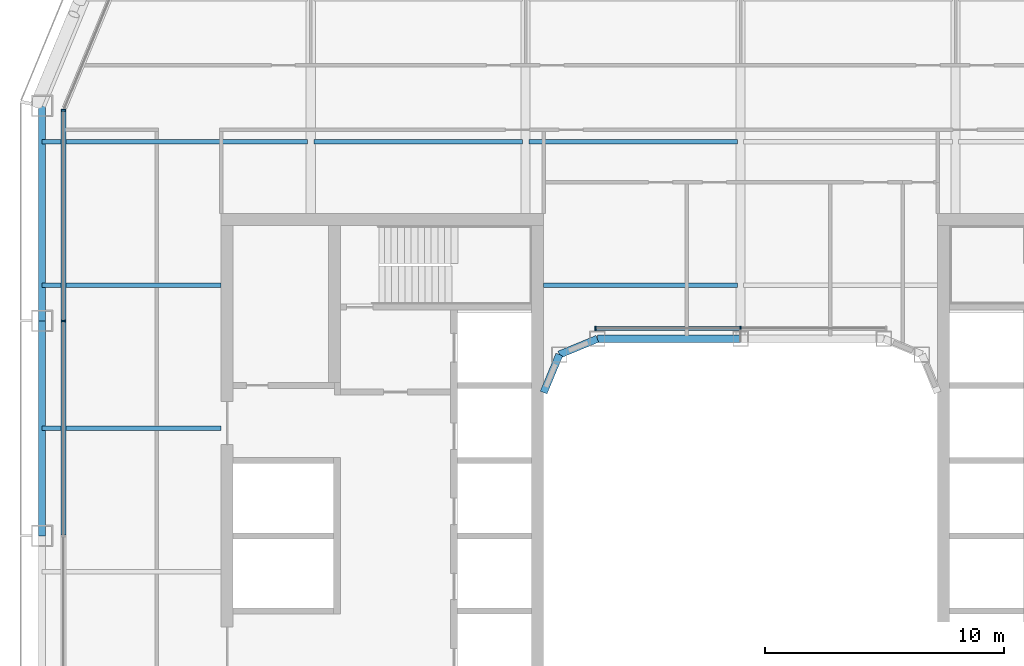
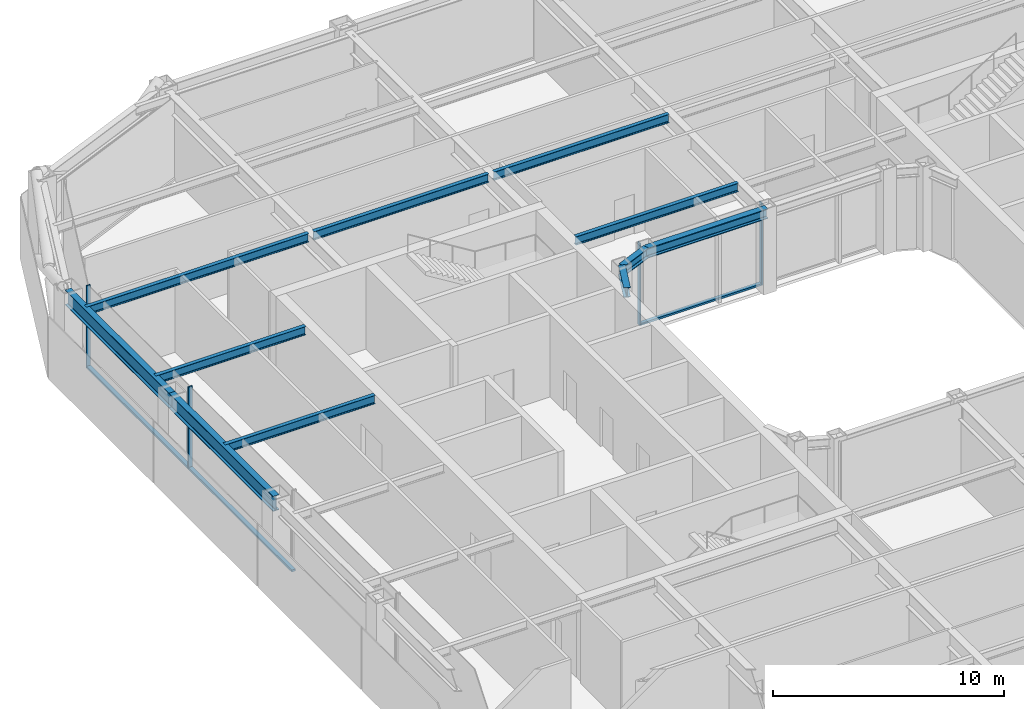
# One storey, part 6 of 24: 11 beams, 7 members, 2 elements without a shape of their own.
"""IFC4 building model written with IfcOpenShell, lengths in metres."""

import ifcopenshell
import ifcopenshell.guid

model = None  # the IFC model being written
_history = None  # IfcOwnerHistory: only IFC2X3 demands one
_inside = {}  # id of a spatial element -> (the spatial element, [elements in it])
_under = {}  # id of a project, library or spatial element -> (it, [spatial elements below it])
_declared = {}  # id of a project -> (the project, [libraries it declares])
_typed = {}  # id of a type object -> (the type object, [elements of that type])
_made_of = {}  # id of a material, layer set ... -> (it, [elements and type objects made of it])


def new_model(schema):
    """Start an empty IFC model of exactly this schema.

    Asked for "IFC4X3", IfcOpenShell would pick the latest addendum, in which some entities
    have other attributes; the version numbers below select the first issue.
    IFC2X3 requires an IfcOwnerHistory on every rooted entity: one is made here for all.
    """
    global model, _history
    if schema == "IFC4X3":
        model = ifcopenshell.file(schema_version=(4, 3, 0, 0))
    else:
        model = ifcopenshell.file(schema=schema)
    _inside.clear()
    _under.clear()
    _declared.clear()
    _typed.clear()
    _made_of.clear()
    _history = None
    if model.schema == "IFC2X3":
        org = make("IfcOrganization", Name="unknown")
        user = make(
            "IfcPersonAndOrganization",
            ThePerson=make("IfcPerson", FamilyName="unknown"),
            TheOrganization=org,
        )
        app = make(
            "IfcApplication",
            ApplicationDeveloper=org,
            Version="unknown",
            ApplicationFullName="unknown",
            ApplicationIdentifier="unknown",
        )
        _history = make(
            "IfcOwnerHistory",
            OwningUser=user,
            OwningApplication=app,
            ChangeAction="ADDED",
            CreationDate=0,
        )
    return model


def make(cls, **values):
    """One entity of the class cls with the attributes given. An attribute that is None is left unset."""
    return model.create_entity(
        cls, **{name: value for name, value in values.items() if value is not None}
    )


def rooted(cls, **values):
    """An entity with a GlobalId (a new one), such as an element, a storey or a relation."""
    return make(cls, GlobalId=ifcopenshell.guid.new(), OwnerHistory=_history, **values)


def si_unit(unit_type, name, prefix=None):
    """IfcSIUnit, for example si_unit("LENGTHUNIT", "METRE", prefix="MILLI")."""
    return make("IfcSIUnit", UnitType=unit_type, Prefix=prefix, Name=name)


def assignment(units):
    """IfcUnitAssignment: the units of a project."""
    return None if units is None else make("IfcUnitAssignment", Units=units)


def point(xyz):
    """IfcCartesianPoint."""
    return None if xyz is None else make("IfcCartesianPoint", Coordinates=xyz)


def direction(xyz):
    """IfcDirection."""
    return None if xyz is None else make("IfcDirection", DirectionRatios=xyz)


def frame(location, z_axis=None, x_axis=None):
    """IfcAxis2Placement3D, a coordinate frame: its origin and axes. An axis left out is left unset."""
    return make(
        "IfcAxis2Placement3D",
        Location=point(location),
        Axis=direction(z_axis),
        RefDirection=direction(x_axis),
    )


def frame_2d(location, x_axis=None):
    """IfcAxis2Placement2D, a coordinate frame in the plane: its origin and x axis."""
    return make(
        "IfcAxis2Placement2D", Location=point(location), RefDirection=direction(x_axis)
    )


def origin():
    """The frame at (0, 0, 0) with its axes left unset."""
    return frame((0.0, 0.0, 0.0))


def origin_2d():
    """The frame at (0, 0) in the plane with its x axis left unset."""
    return frame_2d((0.0, 0.0))


def place(relative_to, where):
    """IfcLocalPlacement: puts the frame where relative to a parent placement (None: the world)."""
    return make(
        "IfcLocalPlacement", PlacementRelTo=relative_to, RelativePlacement=where
    )


def context(
    kind, dimensions, precision=None, world=None, true_north=None, identifier=None
):
    """IfcGeometricRepresentationContext, for example the 3D "Model" context."""
    return make(
        "IfcGeometricRepresentationContext",
        ContextIdentifier=identifier,
        ContextType=kind,
        CoordinateSpaceDimension=dimensions,
        Precision=precision,
        WorldCoordinateSystem=world,
        TrueNorth=true_north,
    )


def subcontext(parent, identifier, kind, view, scale=None):
    """IfcGeometricRepresentationSubContext, for example "Body" below "Model"."""
    return make(
        "IfcGeometricRepresentationSubContext",
        ContextIdentifier=identifier,
        ContextType=kind,
        ParentContext=parent,
        TargetScale=scale,
        TargetView=view,
    )


def project(units=None, contexts=None):
    """IfcProject with its units and contexts."""
    return rooted(
        "IfcProject",
        Name="project",
        RepresentationContexts=contexts,
        UnitsInContext=assignment(units),
    )


def spatial(cls, under=None, at=None, **own):
    """A site, building, storey or space (cls), placed at a placement, below another one or the project."""
    s = rooted(cls, ObjectPlacement=at, **own)
    if under is not None:
        _under.setdefault(under.id(), (under, []))[1].append(s)
    return s


def profile(cls, at=None, kind="AREA", **sizes):
    """A parametric profile (cls). Its sizes go by their IFC names, for example OverallWidth=200.0."""
    return make(cls, ProfileType=kind, Position=at, **sizes)


def rectangle(**sizes):
    """IfcRectangleProfileDef."""
    return profile("IfcRectangleProfileDef", **sizes)


def i_section(**sizes):
    """IfcIShapeProfileDef."""
    return profile("IfcIShapeProfileDef", **sizes)


def extrude(swept, where, along, depth):
    """IfcExtrudedAreaSolid: the profile swept, set in the frame where, extruded along a direction by depth."""
    return make(
        "IfcExtrudedAreaSolid",
        SweptArea=swept,
        Position=where,
        ExtrudedDirection=direction(along),
        Depth=depth,
    )


def shape(context_of_items, identifier, shape_type, items):
    """IfcShapeRepresentation: the items that make up one representation, for example the "Body"."""
    return make(
        "IfcShapeRepresentation",
        ContextOfItems=context_of_items,
        RepresentationIdentifier=identifier,
        RepresentationType=shape_type,
        Items=items,
    )


def material(Name=None, Category=None):
    """IfcMaterial."""
    return make("IfcMaterial", Name=Name, Category=Category)


def layer(
    of_material, thickness, ventilated=None, Name=None, Category=None, Priority=None
):
    """IfcMaterialLayer: one layer of a wall or slab, of a material (None: an air gap)."""
    return make(
        "IfcMaterialLayer",
        Material=of_material,
        LayerThickness=thickness,
        IsVentilated=ventilated,
        Name=Name,
        Category=Category,
        Priority=Priority,
    )


def layer_set(layers, Name=None):
    """IfcMaterialLayerSet."""
    return make("IfcMaterialLayerSet", MaterialLayers=layers, LayerSetName=Name)


def material_profile(
    of_material, cross_section, Name=None, Category=None, Priority=None
):
    """IfcMaterialProfile: a cross section and its material."""
    return make(
        "IfcMaterialProfile",
        Name=Name,
        Material=of_material,
        Profile=cross_section,
        Priority=Priority,
        Category=Category,
    )


def profile_set(profiles, Name=None, composite=None):
    """IfcMaterialProfileSet."""
    return make(
        "IfcMaterialProfileSet",
        Name=Name,
        MaterialProfiles=profiles,
        CompositeProfile=composite,
    )


def made_of(thing, what):
    """Note that an element or type object is made of a material, layer set ...; save() writes the relation."""
    if what is not None:
        _made_of.setdefault(what.id(), (what, []))[1].append(thing)
    return thing


def type_object(cls, material=None, **own):
    """A type object (cls), such as IfcWallType, which elements share."""
    return made_of(rooted(cls, **own), material)


def element(
    cls,
    number,
    at=None,
    inside=None,
    cuts=None,
    type_object=None,
    material=None,
    context=None,
    identifier="Body",
    shape_type=None,
    held_by="IfcProductDefinitionShape",
    body=None,
    shapes=None,
    **own,
):
    """One element of the class cls, such as IfcWall. Its Tag is "e" and its number.

    at: its placement. inside: the storey or other place that contains it. cuts: it is an
    opening in that element (IfcRelVoidsElement). A single representation is given by context,
    identifier, shape_type and body (its items); several are given by shapes. held_by: the class
    of the entity that holds the representations. save() writes the other relations.
    """
    e = rooted(cls, Tag="e%d" % number, ObjectPlacement=at, **own)
    if body is not None:
        shapes = [shape(context, identifier, shape_type, body)]
    if shapes is not None:
        e.Representation = make(held_by, Representations=shapes)
    if inside is not None:
        _inside.setdefault(inside.id(), (inside, []))[1].append(e)
    if cuts is not None:
        rooted(
            "IfcRelVoidsElement", RelatingBuildingElement=cuts, RelatedOpeningElement=e
        )
    if type_object is not None:
        _typed.setdefault(type_object.id(), (type_object, []))[1].append(e)
    return made_of(e, material)


def aggregate(whole, parts):
    """IfcRelAggregates: a whole, such as a stair, and the parts it consists of."""
    return rooted("IfcRelAggregates", RelatingObject=whole, RelatedObjects=parts)


def save(model, path):
    """Write the relations noted so far, then the file.

    IfcRelAggregates (storeys below a building ...), IfcRelContainedInSpatialStructure (elements
    in a storey), IfcRelDefinesByType, IfcRelAssociatesMaterial and IfcRelDeclares: one each for
    every whole, place, type object, material and project.
    """
    for whole, parts in _under.values():
        aggregate(whole, parts)
    for where, things in _inside.values():
        rooted(
            "IfcRelContainedInSpatialStructure",
            RelatedElements=things,
            RelatingStructure=where,
        )
    for kind, things in _typed.values():
        rooted("IfcRelDefinesByType", RelatedObjects=things, RelatingType=kind)
    for what, things in _made_of.values():
        rooted("IfcRelAssociatesMaterial", RelatedObjects=things, RelatingMaterial=what)
    for by, libraries in _declared.values():
        rooted("IfcRelDeclares", RelatingContext=by, RelatedDefinitions=libraries)
    model.write(path)


model = new_model("IFC4")

# Units and contexts
model_context = context("Model", 3, precision=1e-05, world=origin(), true_north=direction((0.0, 1.0)))
body_context = subcontext(model_context, "Body", "Model", "MODEL_VIEW")
ifc_project = project(units=[si_unit("LENGTHUNIT", "METRE"), si_unit("AREAUNIT", "SQUARE_METRE"), si_unit("VOLUMEUNIT", "CUBIC_METRE"), si_unit("PLANEANGLEUNIT", "RADIAN"), si_unit("MASSUNIT", "GRAM", prefix="KILO")], contexts=[model_context])

# Site, building, storey
site_placement = place(None, origin())
site = spatial("IfcSite", under=ifc_project, at=site_placement, CompositionType="ELEMENT")
building_placement = place(site_placement, origin())
building = spatial("IfcBuilding", under=site, at=building_placement, Name="Siwar Civic Tower", CompositionType="ELEMENT")
storey_placement = place(building_placement, frame((0.0, 0.0, 149.699951171875)))
storey = spatial("IfcBuildingStorey", under=building, at=storey_placement, Name="L32", CompositionType="ELEMENT", Elevation=149.699951171875)

# Curtain wall, members
ifc_material_1 = material(Name="Aluminium and glass", Category="aluminium")
ifc_layer_1 = layer(ifc_material_1, 0.199951171875)
ifc_layer_set_1 = layer_set([ifc_layer_1], Name="Aluminium and glass")
curtain_wall_type_1 = type_object("IfcCurtainWallType", Name="ENV-CW-B", PredefinedType="NOTDEFINED", material=ifc_layer_set_1)
curtain_wall_1_placement = place(storey_placement, origin())
curtain_wall_1 = element("IfcCurtainWall", 1, at=curtain_wall_1_placement, inside=storey, type_object=curtain_wall_type_1, Name="Curtain wall B W", PredefinedType="NOTDEFINED")
ifc_material_2 = material(Name="Aluminium 6063-T6", Category="aluminium")
ifc_material_profile_1 = material_profile(ifc_material_2, rectangle(XDim=0.199951171875, YDim=0.06494140625, at=origin_2d()), Name="AL 200x65")
ifc_profile_set_1 = profile_set([ifc_material_profile_1], Name="Aluminium 6063-T6")
member_type_1 = type_object("IfcMemberType", Name="ENV-MULLION-B", PredefinedType="MULLION", material=ifc_profile_set_1)
member_1_placement = place(storey_placement, frame((-28.35009765625, 17.821044921875, 0.0), z_axis=(0.0, 0.0, 1.0), x_axis=(1.0, 0.0, 0.0)))
member_1 = element("IfcMember", 2, at=member_1_placement, type_object=member_type_1, Name="Mullion B W 1", PredefinedType="MULLION", context=body_context, shape_type="SweptSolid", body=[
    extrude(rectangle(XDim=0.199951171875, YDim=0.06494140625, at=origin_2d()), origin(), (0.0, 0.0, 1.0), 4.35009765625),
])
member_2_placement = place(storey_placement, frame((-28.35009765625, 9.0, 0.0), z_axis=(0.0, 0.0, 1.0), x_axis=(1.0, 0.0, 0.0)))
member_2 = element("IfcMember", 3, at=member_2_placement, type_object=member_type_1, Name="Mullion B W 2", PredefinedType="MULLION", context=body_context, shape_type="SweptSolid", body=[
    extrude(rectangle(XDim=0.199951171875, YDim=0.06494140625, at=origin_2d()), origin(), (0.0, 0.0, 1.0), 4.35009765625),
])

ifc_material_3 = material(Name="Aluminium and glass", Category="aluminium")
ifc_layer_2 = layer(ifc_material_3, 0.179931640625)
ifc_layer_set_2 = layer_set([ifc_layer_2], Name="Aluminium and glass")
curtain_wall_type_2 = type_object("IfcCurtainWallType", Name="ENV-CW-W", PredefinedType="NOTDEFINED", material=ifc_layer_set_2)
curtain_wall_2_placement = place(storey_placement, origin())
curtain_wall_2 = element("IfcCurtainWall", 4, at=curtain_wall_2_placement, inside=storey, type_object=curtain_wall_type_2, Name="Curtain wall W WN", PredefinedType="NOTDEFINED")
ifc_material_4 = material(Name="Aluminium 6063-T6", Category="aluminium")
ifc_material_profile_2 = material_profile(ifc_material_4, rectangle(XDim=0.179931640625, YDim=0.06005859375, at=origin_2d()), Name="AL 180x60")
ifc_profile_set_2 = profile_set([ifc_material_profile_2], Name="Aluminium 6063-T6")
member_type_2 = type_object("IfcMemberType", Name="ENV-MULLION-W", PredefinedType="MULLION", material=ifc_profile_set_2)
member_3_placement = place(storey_placement, frame((0.0, 8.68505859375, 0.0), z_axis=(0.0, 0.0, 1.0), x_axis=(0.0, -1.0, 0.0)))
member_3 = element("IfcMember", 5, at=member_3_placement, type_object=member_type_2, Name="Mullion W WN 2", PredefinedType="MULLION", context=body_context, shape_type="SweptSolid", body=[
    extrude(rectangle(XDim=0.179931640625, YDim=0.06005859375, at=origin_2d()), origin(), (0.0, 0.0, 1.0), 4.35009765625),
])
member_4_placement = place(storey_placement, frame((-6.08642578125, 8.68505859375, 0.0), z_axis=(0.0, 0.0, 1.0), x_axis=(0.0, -1.0, 0.0)))
member_4 = element("IfcMember", 6, at=member_4_placement, type_object=member_type_2, Name="Mullion W WN 3", PredefinedType="MULLION", context=body_context, shape_type="SweptSolid", body=[
    extrude(rectangle(XDim=0.179931640625, YDim=0.06005859375, at=origin_2d()), origin(), (0.0, 0.0, 1.0), 4.35009765625),
])

# Member
ifc_material_5 = material(Name="Aluminium 6063-T6", Category="aluminium")
ifc_material_profile_3 = material_profile(ifc_material_5, rectangle(XDim=0.199951171875, YDim=0.110107421875, at=origin_2d()), Name="AL 200x110")
ifc_profile_set_3 = profile_set([ifc_material_profile_3], Name="Aluminium 6063-T6")
member_type_3 = type_object("IfcMemberType", Name="ENV-TRANSOM-B", PredefinedType="USERDEFINED", material=ifc_profile_set_3)
member_5_placement = place(storey_placement, frame((-28.35009765625, 17.78857421875, 0.054931640625), z_axis=(0.0, -1.0, 0.0), x_axis=(1.0, 0.0, 0.0)))
member_5 = element("IfcMember", 7, at=member_5_placement, type_object=member_type_3, Name="Transom B W 1", ObjectType="TRANSOM", PredefinedType="USERDEFINED", context=body_context, shape_type="SweptSolid", body=[
    extrude(rectangle(XDim=0.199951171875, YDim=0.110107421875, at=origin_2d()), origin(), (0.0, 0.0, 1.0), 8.756103515625),
])

member_6_placement = place(storey_placement, frame((-28.35009765625, 8.967529296875, 0.054931640625), z_axis=(0.0, -1.0, 0.0), x_axis=(1.0, 0.0, 0.0)))
member_6 = element("IfcMember", 8, at=member_6_placement, type_object=member_type_3, Name="Transom B W 2", ObjectType="TRANSOM", PredefinedType="USERDEFINED", context=body_context, shape_type="SweptSolid", body=[
    extrude(rectangle(XDim=0.199951171875, YDim=0.110107421875, at=origin_2d()), origin(), (0.0, 0.0, 1.0), 8.93505859375),
])

aggregate(curtain_wall_1, [member_1, member_2, member_5, member_6])

ifc_material_6 = material(Name="Aluminium 6063-T6", Category="aluminium")
ifc_material_profile_4 = material_profile(ifc_material_6, rectangle(XDim=0.179931640625, YDim=0.10009765625, at=origin_2d()), Name="AL 180x100")
ifc_profile_set_4 = profile_set([ifc_material_profile_4], Name="Aluminium 6063-T6")
member_type_4 = type_object("IfcMemberType", Name="ENV-TRANSOM-W", PredefinedType="USERDEFINED", material=ifc_profile_set_4)
member_7_placement = place(storey_placement, frame((-0.030029296875, 8.68505859375, 0.050048828125), z_axis=(-1.0, 0.0, 0.0), x_axis=(0.0, -1.0, 0.0)))
member_7 = element("IfcMember", 9, at=member_7_placement, type_object=member_type_4, Name="Transom W WN 2", ObjectType="TRANSOM", PredefinedType="USERDEFINED", context=body_context, shape_type="SweptSolid", body=[
    extrude(rectangle(XDim=0.179931640625, YDim=0.10009765625, at=origin_2d()), origin(), (0.0, 0.0, 1.0), 6.026611328125),
])

aggregate(curtain_wall_2, [member_3, member_4, member_7])

# Beams
ifc_material_7 = material(Name="Steel S355", Category="steel")
ifc_material_profile_5 = material_profile(ifc_material_7, i_section(OverallWidth=0.18994140625, OverallDepth=0.449951171875, WebThickness=0.009521484375, FlangeThickness=0.0146484375, FilletRadius=0.02099609375, at=origin_2d()), Name="IPE450")
ifc_profile_set_5 = profile_set([ifc_material_profile_5], Name="Steel S355")
beam_type_1 = type_object("IfcBeamType", Name="STR-FB-IPE450", PredefinedType="JOIST", material=ifc_profile_set_5)
for number, where, z_axis, x_axis, name in (
    (10, (-29.25, 4.5, 4.125), (1.0, 0.0, 0.0), (0.0, 1.0, 0.0), "L32/bm/F025"),
    (11, (-29.25, 10.5, 4.125), (1.0, 0.0, 0.0), (0.0, 1.0, 0.0), "L32/bm/F027"),
):
    element("IfcBeam", number, at=place(storey_placement, frame(where, z_axis=z_axis, x_axis=x_axis)), inside=storey, type_object=beam_type_1, Name=name, PredefinedType="JOIST", context=body_context, shape_type="SweptSolid", body=[
        extrude(i_section(OverallWidth=0.18994140625, OverallDepth=0.449951171875, WebThickness=0.009521484375, FlangeThickness=0.0146484375, FilletRadius=0.02099609375, at=origin_2d()), origin(), (0.0, 0.0, 1.0), 7.5),
    ])
beam_1_placement = place(storey_placement, frame((-8.25, 10.5, 4.125), z_axis=(1.0, 0.0, 0.0), x_axis=(0.0, 1.0, 0.0)))
element("IfcBeam", 12, at=beam_1_placement, inside=storey, type_object=beam_type_1, Name="L32/bm/F028", PredefinedType="JOIST", context=body_context, shape_type="SweptSolid", body=[
    extrude(i_section(OverallWidth=0.18994140625, OverallDepth=0.449951171875, WebThickness=0.009521484375, FlangeThickness=0.0146484375, FilletRadius=0.02099609375, at=origin_2d()), origin(), (0.0, 0.0, 1.0), 8.1201171875),
])
beam_2_placement = place(storey_placement, frame((-29.25, 16.5, 4.125), z_axis=(1.0, 0.0, 0.0), x_axis=(0.0, 1.0, 0.0)))
element("IfcBeam", 13, at=beam_2_placement, inside=storey, type_object=beam_type_1, Name="L32/bm/F031", PredefinedType="JOIST", context=body_context, shape_type="SweptSolid", body=[
    extrude(i_section(OverallWidth=0.18994140625, OverallDepth=0.449951171875, WebThickness=0.009521484375, FlangeThickness=0.0146484375, FilletRadius=0.02099609375, at=origin_2d()), origin(), (0.0, 0.0, 1.0), 11.1201171875),
])
for number, where, z_axis, x_axis, name in (
    (14, (-17.8701171875, 16.5, 4.125), (1.0, 0.0, 0.0), (0.0, 1.0, 0.0), "L32/bm/F032"),
    (15, (-8.8701171875, 16.5, 4.125), (1.0, 0.0, 0.0), (0.0, 1.0, 0.0), "L32/bm/F033"),
):
    element("IfcBeam", number, at=place(storey_placement, frame(where, z_axis=z_axis, x_axis=x_axis)), inside=storey, type_object=beam_type_1, Name=name, PredefinedType="JOIST", context=body_context, shape_type="SweptSolid", body=[
        extrude(i_section(OverallWidth=0.18994140625, OverallDepth=0.449951171875, WebThickness=0.009521484375, FlangeThickness=0.0146484375, FilletRadius=0.02099609375, at=origin_2d()), origin(), (0.0, 0.0, 1.0), 8.740234375),
    ])
ifc_material_8 = material(Name="Steel S355", Category="steel")
ifc_material_profile_6 = material_profile(ifc_material_8, i_section(OverallWidth=0.305908203125, OverallDepth=0.52392578125, WebThickness=0.02099609375, FlangeThickness=0.0400390625, FilletRadius=0.027099609375, at=origin_2d()), Name="HEM500")
ifc_profile_set_6 = profile_set([ifc_material_profile_6], Name="Steel S355")
beam_type_2 = type_object("IfcBeamType", Name="STR-RB-HEM500", PredefinedType="BEAM", material=ifc_profile_set_6)
beam_3_placement = place(storey_placement, frame((-7.591064453125, 7.591064453125, 4.088134765625), z_axis=(0.923901072997, 0.382631424892, 0.0), x_axis=(-0.382631424892, 0.923901072997, 0.0)))
element("IfcBeam", 16, at=beam_3_placement, inside=storey, type_object=beam_type_2, Name="L32/bm/RN0", PredefinedType="BEAM", context=body_context, shape_type="SweptSolid", body=[
    extrude(i_section(OverallWidth=0.305908203125, OverallDepth=0.52392578125, WebThickness=0.02099609375, FlangeThickness=0.0400390625, FilletRadius=0.027099609375, at=origin_2d()), origin(), (0.0, 0.0, 1.0), 1.72216796875),
])
beam_4_placement = place(storey_placement, frame((-6.0, 8.25, 4.088134765625), z_axis=(1.0, 0.0, 0.0), x_axis=(0.0, 1.0, 0.0)))
element("IfcBeam", 17, at=beam_4_placement, inside=storey, type_object=beam_type_2, Name="L32/bm/RN1", PredefinedType="BEAM", context=body_context, shape_type="SweptSolid", body=[
    extrude(i_section(OverallWidth=0.305908203125, OverallDepth=0.52392578125, WebThickness=0.02099609375, FlangeThickness=0.0400390625, FilletRadius=0.027099609375, at=origin_2d()), origin(), (0.0, 0.0, 1.0), 6.0),
])
beam_5_placement = place(storey_placement, frame((-7.591064453125, 7.591064453125, 4.088134765625), z_axis=(-0.382631424892, -0.923901072997, 0.0), x_axis=(0.923901072997, -0.382631424892, 0.0)))
element("IfcBeam", 18, at=beam_5_placement, inside=storey, type_object=beam_type_2, Name="L32/bm/RNEW", PredefinedType="BEAM", context=body_context, shape_type="SweptSolid", body=[
    extrude(i_section(OverallWidth=0.305908203125, OverallDepth=0.52392578125, WebThickness=0.02099609375, FlangeThickness=0.0400390625, FilletRadius=0.027099609375, at=origin_2d()), origin(), (0.0, 0.0, 1.0), 1.72216796875),
])
ifc_material_9 = material(Name="Steel S355", Category="steel")
ifc_material_profile_7 = material_profile(ifc_material_9, i_section(OverallWidth=0.300048828125, OverallDepth=0.800048828125, WebThickness=0.017578125, FlangeThickness=0.032958984375, FilletRadius=0.030029296875, at=origin_2d()), Name="HEB800")
ifc_profile_set_7 = profile_set([ifc_material_profile_7], Name="Steel S355")
beam_type_3 = type_object("IfcBeamType", Name="STR-SB-HEB800", PredefinedType="BEAM", material=ifc_profile_set_7)
for number, where, z_axis, x_axis, name in (
    (19, (-29.25, 18.0, 3.949951171875), (0.0, -1.0, 0.0), (1.0, 0.0, 0.0), "L32/bm/SW-0"),
    (20, (-29.25, 9.0, 3.949951171875), (0.0, -1.0, 0.0), (1.0, 0.0, 0.0), "L32/bm/SW-1"),
):
    element("IfcBeam", number, at=place(storey_placement, frame(where, z_axis=z_axis, x_axis=x_axis)), inside=storey, type_object=beam_type_3, Name=name, PredefinedType="BEAM", context=body_context, shape_type="SweptSolid", body=[
        extrude(i_section(OverallWidth=0.300048828125, OverallDepth=0.800048828125, WebThickness=0.017578125, FlangeThickness=0.032958984375, FilletRadius=0.030029296875, at=origin_2d()), origin(), (0.0, 0.0, 1.0), 9.0),
    ])

save(model, "model.ifc")
